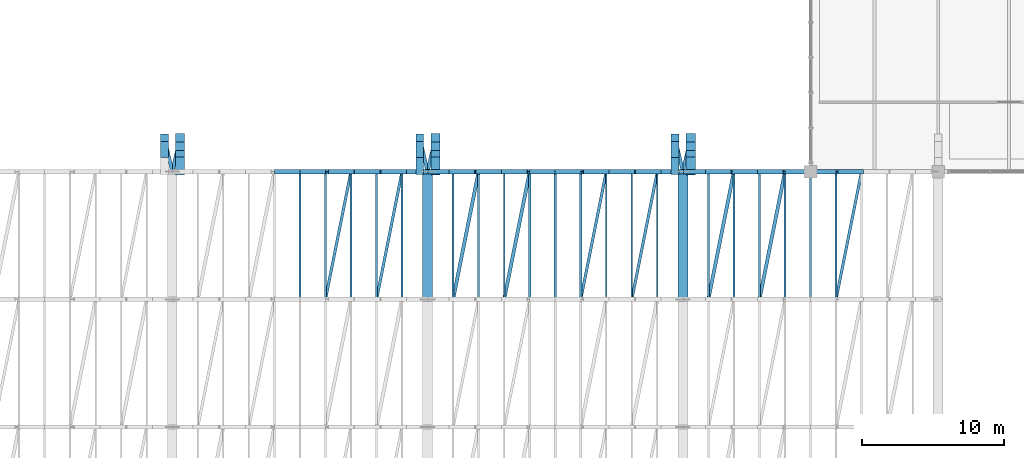
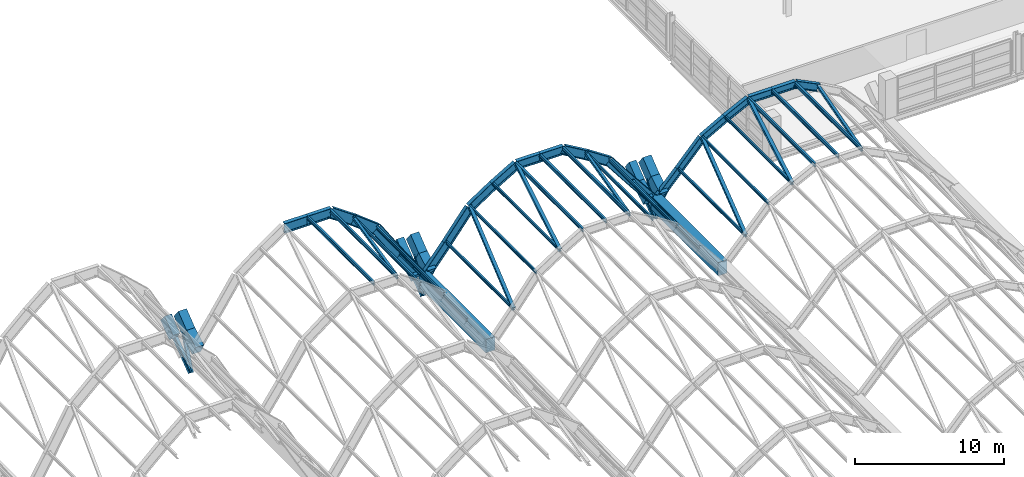
# One storey, part 27 of 86: 36 beams, 35 members.
"""IFC4 building model written with IfcOpenShell, lengths in metres."""

from ifc_helpers import new_model, si_unit, direction, frame, origin, origin_2d, place, context, subcontext, project, spatial, rectangle, i_section, extrude, material, material_profile, profile_set, type_object, element, save


model = new_model("IFC4")

# Units and contexts
model_context = context("Model", 3, precision=1e-05, world=origin(), true_north=direction((0.0, 1.0)))
body_context = subcontext(model_context, "Body", "Model", "MODEL_VIEW")
ifc_project = project(units=[si_unit("LENGTHUNIT", "METRE"), si_unit("AREAUNIT", "SQUARE_METRE"), si_unit("VOLUMEUNIT", "CUBIC_METRE"), si_unit("PLANEANGLEUNIT", "RADIAN"), si_unit("MASSUNIT", "GRAM", prefix="KILO")], contexts=[model_context])

# Site, building, storey
site_placement = place(None, origin())
site = spatial("IfcSite", under=ifc_project, at=site_placement, CompositionType="ELEMENT")
building_placement = place(site_placement, origin())
building = spatial("IfcBuilding", under=site, at=building_placement, Name="Chuanluo Vaults Station", CompositionType="ELEMENT")
storey_placement = place(building_placement, frame((0.0, 0.0, 14.39990234375)))
storey = spatial("IfcBuildingStorey", under=building, at=storey_placement, Name="L03", CompositionType="ELEMENT", Elevation=14.39990234375)

# Beams
ifc_material_1 = material(Name="Concrete C50", Category="concrete")
ifc_material_profile_1 = material_profile(ifc_material_1, rectangle(XDim=0.64990234375, YDim=0.949951171875, at=origin_2d()))
ifc_profile_set_1 = profile_set([ifc_material_profile_1], Name="Concrete C50")
beam_type_1 = type_object("IfcBeamType", Name="BM-CUSP-RC1", PredefinedType="USERDEFINED", material=ifc_profile_set_1)
beam_1_placement = place(storey_placement, frame((72.550048828125, 103.5, -0.5498046875), z_axis=(0.0, 0.872520545396, 0.488577422588), x_axis=(-1.0, 0.0, 0.0)))
element("IfcBeam", 1, at=beam_1_placement, inside=storey, type_object=beam_type_1, Name="Vault V5 upturned cusp rib N-W chord 1", ObjectType="GIRDER", PredefinedType="USERDEFINED", context=body_context, shape_type="SweptSolid", body=[
    extrude(rectangle(XDim=0.64990234375, YDim=0.949951171875, at=origin_2d()), origin(), (0.0, 0.0, 1.0), 1.4326171875),
])
beam_2_placement = place(storey_placement, frame((72.550048828125, 104.75, 0.150146484375), z_axis=(0.0, 0.787512057463, 0.61629924497), x_axis=(-1.0, 0.0, 0.0)))
element("IfcBeam", 2, at=beam_2_placement, inside=storey, type_object=beam_type_1, Name="Vault V5 upturned cusp rib N-W chord 2", ObjectType="GIRDER", PredefinedType="USERDEFINED", context=body_context, shape_type="SweptSolid", body=[
    extrude(rectangle(XDim=0.64990234375, YDim=0.949951171875, at=origin_2d()), origin(), (0.0, 0.0, 1.0), 1.460205078125),
])
beam_3_placement = place(storey_placement, frame((90.550048828125, 103.5, -0.5498046875), z_axis=(0.0, 0.872520545396, 0.488577422588), x_axis=(-1.0, 0.0, 0.0)))
element("IfcBeam", 3, at=beam_3_placement, inside=storey, type_object=beam_type_1, Name="Vault V6 upturned cusp rib N-W chord 1", ObjectType="GIRDER", PredefinedType="USERDEFINED", context=body_context, shape_type="SweptSolid", body=[
    extrude(rectangle(XDim=0.64990234375, YDim=0.949951171875, at=origin_2d()), origin(), (0.0, 0.0, 1.0), 1.4326171875),
])
beam_4_placement = place(storey_placement, frame((90.550048828125, 104.75, 0.150146484375), z_axis=(0.0, 0.787512057463, 0.61629924497), x_axis=(-1.0, 0.0, 0.0)))
element("IfcBeam", 4, at=beam_4_placement, inside=storey, type_object=beam_type_1, Name="Vault V6 upturned cusp rib N-W chord 2", ObjectType="GIRDER", PredefinedType="USERDEFINED", context=body_context, shape_type="SweptSolid", body=[
    extrude(rectangle(XDim=0.64990234375, YDim=0.949951171875, at=origin_2d()), origin(), (0.0, 0.0, 1.0), 1.460205078125),
])
beam_5_placement = place(storey_placement, frame((108.550048828125, 103.5, -0.5498046875), z_axis=(0.0, 0.872520545396, 0.488577422588), x_axis=(-1.0, 0.0, 0.0)))
element("IfcBeam", 5, at=beam_5_placement, inside=storey, type_object=beam_type_1, Name="Vault V7 upturned cusp rib N-W chord 1", ObjectType="GIRDER", PredefinedType="USERDEFINED", context=body_context, shape_type="SweptSolid", body=[
    extrude(rectangle(XDim=0.64990234375, YDim=0.949951171875, at=origin_2d()), origin(), (0.0, 0.0, 1.0), 1.4326171875),
])
beam_6_placement = place(storey_placement, frame((108.550048828125, 104.75, 0.150146484375), z_axis=(0.0, 0.787512057463, 0.61629924497), x_axis=(-1.0, 0.0, 0.0)))
element("IfcBeam", 6, at=beam_6_placement, inside=storey, type_object=beam_type_1, Name="Vault V7 upturned cusp rib N-W chord 2", ObjectType="GIRDER", PredefinedType="USERDEFINED", context=body_context, shape_type="SweptSolid", body=[
    extrude(rectangle(XDim=0.64990234375, YDim=0.949951171875, at=origin_2d()), origin(), (0.0, 0.0, 1.0), 1.460205078125),
])
ifc_material_2 = material(Name="Concrete C50", Category="concrete")
ifc_material_profile_2 = material_profile(ifc_material_2, rectangle(XDim=0.550048828125, YDim=0.85009765625, at=origin_2d()))
ifc_profile_set_2 = profile_set([ifc_material_profile_2], Name="Concrete C50")
beam_type_2 = type_object("IfcBeamType", Name="BM-CUSP-RC2", PredefinedType="USERDEFINED", material=ifc_profile_set_2)
beam_7_placement = place(storey_placement, frame((71.449951171875, 104.75, 0.150146484375), z_axis=(0.0, 0.787512057463, 0.61629924497), x_axis=(-1.0, 0.0, 0.0)))
element("IfcBeam", 7, at=beam_7_placement, inside=storey, type_object=beam_type_2, Name="Vault V4 upturned cusp rib N-E chord 2", ObjectType="GIRDER", PredefinedType="USERDEFINED", context=body_context, shape_type="SweptSolid", body=[
    extrude(rectangle(XDim=0.550048828125, YDim=0.85009765625, at=origin_2d()), origin(), (0.0, 0.0, 1.0), 1.460205078125),
])
beam_8_placement = place(storey_placement, frame((89.449951171875, 103.5, -0.5498046875), z_axis=(0.0, 0.872520545396, 0.488577422588), x_axis=(-1.0, 0.0, 0.0)))
element("IfcBeam", 8, at=beam_8_placement, inside=storey, type_object=beam_type_2, Name="Vault V5 upturned cusp rib N-E chord 1", ObjectType="GIRDER", PredefinedType="USERDEFINED", context=body_context, shape_type="SweptSolid", body=[
    extrude(rectangle(XDim=0.550048828125, YDim=0.85009765625, at=origin_2d()), origin(), (0.0, 0.0, 1.0), 1.4326171875),
])
beam_9_placement = place(storey_placement, frame((89.449951171875, 104.75, 0.150146484375), z_axis=(0.0, 0.787512057463, 0.61629924497), x_axis=(-1.0, 0.0, 0.0)))
element("IfcBeam", 9, at=beam_9_placement, inside=storey, type_object=beam_type_2, Name="Vault V5 upturned cusp rib N-E chord 2", ObjectType="GIRDER", PredefinedType="USERDEFINED", context=body_context, shape_type="SweptSolid", body=[
    extrude(rectangle(XDim=0.550048828125, YDim=0.85009765625, at=origin_2d()), origin(), (0.0, 0.0, 1.0), 1.460205078125),
])
beam_10_placement = place(storey_placement, frame((107.449951171875, 103.5, -0.5498046875), z_axis=(0.0, 0.872520545396, 0.488577422588), x_axis=(-1.0, 0.0, 0.0)))
element("IfcBeam", 10, at=beam_10_placement, inside=storey, type_object=beam_type_2, Name="Vault V6 upturned cusp rib N-E chord 1", ObjectType="GIRDER", PredefinedType="USERDEFINED", context=body_context, shape_type="SweptSolid", body=[
    extrude(rectangle(XDim=0.550048828125, YDim=0.85009765625, at=origin_2d()), origin(), (0.0, 0.0, 1.0), 1.4326171875),
])
beam_11_placement = place(storey_placement, frame((107.449951171875, 104.75, 0.150146484375), z_axis=(0.0, 0.787512057463, 0.61629924497), x_axis=(-1.0, 0.0, 0.0)))
element("IfcBeam", 11, at=beam_11_placement, inside=storey, type_object=beam_type_2, Name="Vault V6 upturned cusp rib N-E chord 2", ObjectType="GIRDER", PredefinedType="USERDEFINED", context=body_context, shape_type="SweptSolid", body=[
    extrude(rectangle(XDim=0.550048828125, YDim=0.85009765625, at=origin_2d()), origin(), (0.0, 0.0, 1.0), 1.460205078125),
])
ifc_material_3 = material(Name="Concrete C50", Category="concrete")
ifc_material_profile_3 = material_profile(ifc_material_3, rectangle(XDim=0.699951171875, YDim=1.10009765625, at=origin_2d()))
ifc_profile_set_3 = profile_set([ifc_material_profile_3], Name="Concrete C50")
beam_type_3 = type_object("IfcBeamType", Name="BM-VAL-RC", PredefinedType="USERDEFINED", material=ifc_profile_set_3)
for number, where, z_axis, x_axis, name in (
    (12, (90.0, 94.5, -0.7998046875), (0.0, 1.0, 0.0), (-1.0, 0.0, 0.0), "Vault springing valley beam X90-8"),
    (13, (108.0, 94.5, -0.7998046875), (0.0, 1.0, 0.0), (-1.0, 0.0, 0.0), "Vault springing valley beam X108-8"),
):
    element("IfcBeam", number, at=place(storey_placement, frame(where, z_axis=z_axis, x_axis=x_axis)), inside=storey, type_object=beam_type_3, Name=name, ObjectType="GIRDER", PredefinedType="USERDEFINED", context=body_context, shape_type="SweptSolid", body=[
        extrude(rectangle(XDim=0.699951171875, YDim=1.10009765625, at=origin_2d()), origin(), (0.0, 0.0, 1.0), 9.0),
    ])
ifc_material_4 = material(Name="Steel Q355C", Category="steel")
ifc_material_profile_4 = material_profile(ifc_material_4, i_section(OverallWidth=0.300048828125, OverallDepth=0.587890625, WebThickness=0.011962890625, FlangeThickness=0.02001953125, FilletRadius=0.02392578125, at=origin_2d()))
ifc_profile_set_4 = profile_set([ifc_material_profile_4], Name="Steel Q355C")
beam_type_4 = type_object("IfcBeamType", Name="BM-VLT-600", PredefinedType="USERDEFINED", material=ifc_profile_set_4)
beam_12_placement = place(storey_placement, frame((108.0, 103.5, -0.743896484375), z_axis=(0.684521510403, 0.0, 0.728992662374), x_axis=(0.0, 1.0, 0.0)))
element("IfcBeam", 14, at=beam_12_placement, inside=storey, type_object=beam_type_4, Name="Vault V7 arch rib 9 chord 1", ObjectType="GIRDER", PredefinedType="USERDEFINED", context=body_context, shape_type="SweptSolid", body=[
    extrude(i_section(OverallWidth=0.300048828125, OverallDepth=0.587890625, WebThickness=0.011962890625, FlangeThickness=0.02001953125, FilletRadius=0.02392578125, at=origin_2d()), origin(), (0.0, 0.0, 1.0), 2.629638671875),
])
beam_13_placement = place(storey_placement, frame((109.800048828125, 103.5, 1.173095703125), z_axis=(0.674369120381, 0.0, 0.738394399679), x_axis=(0.0, 1.0, 0.0)))
element("IfcBeam", 15, at=beam_13_placement, inside=storey, type_object=beam_type_4, Name="Vault V7 arch rib 9 chord 2", ObjectType="GIRDER", PredefinedType="USERDEFINED", context=body_context, shape_type="SweptSolid", body=[
    extrude(i_section(OverallWidth=0.300048828125, OverallDepth=0.587890625, WebThickness=0.011962890625, FlangeThickness=0.02001953125, FilletRadius=0.02392578125, at=origin_2d()), origin(), (0.0, 0.0, 1.0), 2.669189453125),
])
beam_14_placement = place(storey_placement, frame((111.60009765625, 103.5, 3.14404296875), z_axis=(0.873681685546, 0.0, 0.486498008569), x_axis=(0.0, 1.0, 0.0)))
element("IfcBeam", 16, at=beam_14_placement, inside=storey, type_object=beam_type_4, Name="Vault V7 arch rib 9 chord 3", ObjectType="GIRDER", PredefinedType="USERDEFINED", context=body_context, shape_type="SweptSolid", body=[
    extrude(i_section(OverallWidth=0.300048828125, OverallDepth=0.587890625, WebThickness=0.011962890625, FlangeThickness=0.02001953125, FilletRadius=0.02392578125, at=origin_2d()), origin(), (0.0, 0.0, 1.0), 2.06005859375),
])
beam_15_placement = place(storey_placement, frame((113.39990234375, 103.5, 4.146240234375), z_axis=(0.896436371213, 0.0, 0.443172463457), x_axis=(0.0, 1.0, 0.0)))
element("IfcBeam", 17, at=beam_15_placement, inside=storey, type_object=beam_type_4, Name="Vault V7 arch rib 9 chord 4", ObjectType="GIRDER", PredefinedType="USERDEFINED", context=body_context, shape_type="SweptSolid", body=[
    extrude(i_section(OverallWidth=0.300048828125, OverallDepth=0.587890625, WebThickness=0.011962890625, FlangeThickness=0.02001953125, FilletRadius=0.02392578125, at=origin_2d()), origin(), (0.0, 0.0, 1.0), 2.008056640625),
])
for number, where, z_axis, x_axis, name in (
    (18, (115.199951171875, 103.5, 5.0361328125), (1.0, 0.0, 0.0), (0.0, 1.0, 0.0), "Vault V7 arch rib 9 chord 5"),
    (19, (117.0, 103.5, 5.0361328125), (1.0, 0.0, 0.0), (0.0, 1.0, 0.0), "Vault V7 arch rib 9 chord 6"),
):
    element("IfcBeam", number, at=place(storey_placement, frame(where, z_axis=z_axis, x_axis=x_axis)), inside=storey, type_object=beam_type_4, Name=name, ObjectType="GIRDER", PredefinedType="USERDEFINED", context=body_context, shape_type="SweptSolid", body=[
        extrude(i_section(OverallWidth=0.300048828125, OverallDepth=0.587890625, WebThickness=0.011962890625, FlangeThickness=0.02001953125, FilletRadius=0.02392578125, at=origin_2d()), origin(), (0.0, 0.0, 1.0), 1.800048828125),
    ])
beam_16_placement = place(storey_placement, frame((118.800048828125, 103.5, 5.0361328125), z_axis=(0.896436371213, 0.0, -0.443172463457), x_axis=(0.0, 1.0, 0.0)))
element("IfcBeam", 20, at=beam_16_placement, inside=storey, type_object=beam_type_4, Name="Vault V7 arch rib 9 chord 7", ObjectType="GIRDER", PredefinedType="USERDEFINED", context=body_context, shape_type="SweptSolid", body=[
    extrude(i_section(OverallWidth=0.300048828125, OverallDepth=0.587890625, WebThickness=0.011962890625, FlangeThickness=0.02001953125, FilletRadius=0.02392578125, at=origin_2d()), origin(), (0.0, 0.0, 1.0), 2.008056640625),
])
ifc_material_5 = material(Name="Steel Q355C", Category="steel")
ifc_material_profile_5 = material_profile(ifc_material_5, i_section(OverallWidth=0.300048828125, OverallDepth=0.699951171875, WebThickness=0.012939453125, FlangeThickness=0.02392578125, FilletRadius=0.02392578125, at=origin_2d()))
ifc_profile_set_5 = profile_set([ifc_material_profile_5], Name="Steel Q355C")
beam_type_5 = type_object("IfcBeamType", Name="BM-VLT-700", PredefinedType="USERDEFINED", material=ifc_profile_set_5)
beam_17_placement = place(storey_placement, frame((90.0, 103.5, -0.7998046875), z_axis=(0.628190338877, 0.0, 0.778059700885), x_axis=(0.0, 1.0, 0.0)))
element("IfcBeam", 21, at=beam_17_placement, inside=storey, type_object=beam_type_5, Name="Vault V6 arch rib 9 chord 1", ObjectType="GIRDER", PredefinedType="USERDEFINED", context=body_context, shape_type="SweptSolid", body=[
    extrude(i_section(OverallWidth=0.300048828125, OverallDepth=0.699951171875, WebThickness=0.012939453125, FlangeThickness=0.02392578125, FilletRadius=0.02392578125, at=origin_2d()), origin(), (0.0, 0.0, 1.0), 2.865478515625),
])
beam_18_placement = place(storey_placement, frame((91.800048828125, 103.5, 1.4296875), z_axis=(0.613681275736, 0.0, 0.789553856182), x_axis=(0.0, 1.0, 0.0)))
element("IfcBeam", 22, at=beam_18_placement, inside=storey, type_object=beam_type_5, Name="Vault V6 arch rib 9 chord 2", ObjectType="GIRDER", PredefinedType="USERDEFINED", context=body_context, shape_type="SweptSolid", body=[
    extrude(i_section(OverallWidth=0.300048828125, OverallDepth=0.699951171875, WebThickness=0.012939453125, FlangeThickness=0.02392578125, FilletRadius=0.02392578125, at=origin_2d()), origin(), (0.0, 0.0, 1.0), 2.93310546875),
])
beam_19_placement = place(storey_placement, frame((93.60009765625, 103.5, 3.74560546875), z_axis=(0.836145448105, 0.0, 0.54850778446), x_axis=(0.0, 1.0, 0.0)))
element("IfcBeam", 23, at=beam_19_placement, inside=storey, type_object=beam_type_5, Name="Vault V6 arch rib 9 chord 3", ObjectType="GIRDER", PredefinedType="USERDEFINED", context=body_context, shape_type="SweptSolid", body=[
    extrude(i_section(OverallWidth=0.300048828125, OverallDepth=0.699951171875, WebThickness=0.012939453125, FlangeThickness=0.02392578125, FilletRadius=0.02392578125, at=origin_2d()), origin(), (0.0, 0.0, 1.0), 2.152587890625),
])
beam_20_placement = place(storey_placement, frame((95.39990234375, 103.5, 4.92626953125), z_axis=(0.863009490662, 0.0, 0.505187706727), x_axis=(0.0, 1.0, 0.0)))
element("IfcBeam", 24, at=beam_20_placement, inside=storey, type_object=beam_type_5, Name="Vault V6 arch rib 9 chord 4", ObjectType="GIRDER", PredefinedType="USERDEFINED", context=body_context, shape_type="SweptSolid", body=[
    extrude(i_section(OverallWidth=0.300048828125, OverallDepth=0.699951171875, WebThickness=0.012939453125, FlangeThickness=0.02392578125, FilletRadius=0.02392578125, at=origin_2d()), origin(), (0.0, 0.0, 1.0), 2.085693359375),
])
for number, where, z_axis, x_axis, name in (
    (25, (97.199951171875, 103.5, 5.97998046875), (1.0, 0.0, 0.0), (0.0, 1.0, 0.0), "Vault V6 arch rib 9 chord 5"),
    (26, (99.0, 103.5, 5.97998046875), (1.0, 0.0, 0.0), (0.0, 1.0, 0.0), "Vault V6 arch rib 9 chord 6"),
):
    element("IfcBeam", number, at=place(storey_placement, frame(where, z_axis=z_axis, x_axis=x_axis)), inside=storey, type_object=beam_type_5, Name=name, ObjectType="GIRDER", PredefinedType="USERDEFINED", context=body_context, shape_type="SweptSolid", body=[
        extrude(i_section(OverallWidth=0.300048828125, OverallDepth=0.699951171875, WebThickness=0.012939453125, FlangeThickness=0.02392578125, FilletRadius=0.02392578125, at=origin_2d()), origin(), (0.0, 0.0, 1.0), 1.800048828125),
    ])
beam_21_placement = place(storey_placement, frame((100.800048828125, 103.5, 5.97998046875), z_axis=(0.863009490662, 0.0, -0.505187706727), x_axis=(0.0, 1.0, 0.0)))
element("IfcBeam", 27, at=beam_21_placement, inside=storey, type_object=beam_type_5, Name="Vault V6 arch rib 9 chord 7", ObjectType="GIRDER", PredefinedType="USERDEFINED", context=body_context, shape_type="SweptSolid", body=[
    extrude(i_section(OverallWidth=0.300048828125, OverallDepth=0.699951171875, WebThickness=0.012939453125, FlangeThickness=0.02392578125, FilletRadius=0.02392578125, at=origin_2d()), origin(), (0.0, 0.0, 1.0), 2.085693359375),
])
beam_22_placement = place(storey_placement, frame((102.60009765625, 103.5, 4.92626953125), z_axis=(0.836145448105, 0.0, -0.54850778446), x_axis=(0.0, 1.0, 0.0)))
element("IfcBeam", 28, at=beam_22_placement, inside=storey, type_object=beam_type_5, Name="Vault V6 arch rib 9 chord 8", ObjectType="GIRDER", PredefinedType="USERDEFINED", context=body_context, shape_type="SweptSolid", body=[
    extrude(i_section(OverallWidth=0.300048828125, OverallDepth=0.699951171875, WebThickness=0.012939453125, FlangeThickness=0.02392578125, FilletRadius=0.02392578125, at=origin_2d()), origin(), (0.0, 0.0, 1.0), 2.152587890625),
])
beam_23_placement = place(storey_placement, frame((104.39990234375, 103.5, 3.74560546875), z_axis=(0.613681275736, 0.0, -0.789553856182), x_axis=(0.0, 1.0, 0.0)))
element("IfcBeam", 29, at=beam_23_placement, inside=storey, type_object=beam_type_5, Name="Vault V6 arch rib 9 chord 9", ObjectType="GIRDER", PredefinedType="USERDEFINED", context=body_context, shape_type="SweptSolid", body=[
    extrude(i_section(OverallWidth=0.300048828125, OverallDepth=0.699951171875, WebThickness=0.012939453125, FlangeThickness=0.02392578125, FilletRadius=0.02392578125, at=origin_2d()), origin(), (0.0, 0.0, 1.0), 2.93310546875),
])
beam_24_placement = place(storey_placement, frame((106.199951171875, 103.5, 1.4296875), z_axis=(0.628190338877, 0.0, -0.778059700885), x_axis=(0.0, 1.0, 0.0)))
element("IfcBeam", 30, at=beam_24_placement, inside=storey, type_object=beam_type_5, Name="Vault V6 arch rib 9 chord 10", ObjectType="GIRDER", PredefinedType="USERDEFINED", context=body_context, shape_type="SweptSolid", body=[
    extrude(i_section(OverallWidth=0.300048828125, OverallDepth=0.699951171875, WebThickness=0.012939453125, FlangeThickness=0.02392578125, FilletRadius=0.02392578125, at=origin_2d()), origin(), (0.0, 0.0, 1.0), 2.865478515625),
])
ifc_material_6 = material(Name="Steel Q355C", Category="steel")
ifc_material_profile_6 = material_profile(ifc_material_6, i_section(OverallWidth=0.300048828125, OverallDepth=0.800048828125, WebThickness=0.013916015625, FlangeThickness=0.02587890625, FilletRadius=0.02392578125, at=origin_2d()))
ifc_profile_set_6 = profile_set([ifc_material_profile_6], Name="Steel Q355C")
beam_type_6 = type_object("IfcBeamType", Name="BM-VLT-800", PredefinedType="USERDEFINED", material=ifc_profile_set_6)
for number, where, z_axis, x_axis, name in (
    (31, (79.199951171875, 103.5, 7.130126953125), (1.0, 0.0, 0.0), (0.0, 1.0, 0.0), "Vault V5 arch rib 9 chord 5"),
    (32, (81.0, 103.5, 7.130126953125), (1.0, 0.0, 0.0), (0.0, 1.0, 0.0), "Vault V5 arch rib 9 chord 6"),
):
    element("IfcBeam", number, at=place(storey_placement, frame(where, z_axis=z_axis, x_axis=x_axis)), inside=storey, type_object=beam_type_6, Name=name, ObjectType="GIRDER", PredefinedType="USERDEFINED", context=body_context, shape_type="SweptSolid", body=[
        extrude(i_section(OverallWidth=0.300048828125, OverallDepth=0.800048828125, WebThickness=0.013916015625, FlangeThickness=0.02587890625, FilletRadius=0.02392578125, at=origin_2d()), origin(), (0.0, 0.0, 1.0), 1.800048828125),
    ])
beam_25_placement = place(storey_placement, frame((82.800048828125, 103.5, 7.130126953125), z_axis=(0.820907471123, 0.0, -0.571061226012), x_axis=(0.0, 1.0, 0.0)))
element("IfcBeam", 33, at=beam_25_placement, inside=storey, type_object=beam_type_6, Name="Vault V5 arch rib 9 chord 7", ObjectType="GIRDER", PredefinedType="USERDEFINED", context=body_context, shape_type="SweptSolid", body=[
    extrude(i_section(OverallWidth=0.300048828125, OverallDepth=0.800048828125, WebThickness=0.013916015625, FlangeThickness=0.02587890625, FilletRadius=0.02392578125, at=origin_2d()), origin(), (0.0, 0.0, 1.0), 2.19287109375),
])
beam_26_placement = place(storey_placement, frame((84.60009765625, 103.5, 5.8779296875), z_axis=(0.790274889356, 0.0, -0.612752477965), x_axis=(0.0, 1.0, 0.0)))
element("IfcBeam", 34, at=beam_26_placement, inside=storey, type_object=beam_type_6, Name="Vault V5 arch rib 9 chord 8", ObjectType="GIRDER", PredefinedType="USERDEFINED", context=body_context, shape_type="SweptSolid", body=[
    extrude(i_section(OverallWidth=0.300048828125, OverallDepth=0.800048828125, WebThickness=0.013916015625, FlangeThickness=0.02587890625, FilletRadius=0.02392578125, at=origin_2d()), origin(), (0.0, 0.0, 1.0), 2.27734375),
])
beam_27_placement = place(storey_placement, frame((86.39990234375, 103.5, 4.482421875), z_axis=(0.550471867992, 0.0, -0.834853713263), x_axis=(0.0, 1.0, 0.0)))
element("IfcBeam", 35, at=beam_27_placement, inside=storey, type_object=beam_type_6, Name="Vault V5 arch rib 9 chord 9", ObjectType="GIRDER", PredefinedType="USERDEFINED", context=body_context, shape_type="SweptSolid", body=[
    extrude(i_section(OverallWidth=0.300048828125, OverallDepth=0.800048828125, WebThickness=0.013916015625, FlangeThickness=0.02587890625, FilletRadius=0.02392578125, at=origin_2d()), origin(), (0.0, 0.0, 1.0), 3.27001953125),
])
beam_28_placement = place(storey_placement, frame((88.199951171875, 103.5, 1.75244140625), z_axis=(0.568880934439, 0.0, -0.822419894234), x_axis=(0.0, 1.0, 0.0)))
element("IfcBeam", 36, at=beam_28_placement, inside=storey, type_object=beam_type_6, Name="Vault V5 arch rib 9 chord 10", ObjectType="GIRDER", PredefinedType="USERDEFINED", context=body_context, shape_type="SweptSolid", body=[
    extrude(i_section(OverallWidth=0.300048828125, OverallDepth=0.800048828125, WebThickness=0.013916015625, FlangeThickness=0.02587890625, FilletRadius=0.02392578125, at=origin_2d()), origin(), (0.0, 0.0, 1.0), 3.164306640625),
])

# Members
ifc_material_7 = material(Name="Steel Q355C", Category="steel")
ifc_material_profile_7 = material_profile(ifc_material_7, i_section(OverallWidth=0.25, OverallDepth=0.340087890625, WebThickness=0.009033203125, FlangeThickness=0.013916015625, FilletRadius=0.01611328125, at=origin_2d()))
ifc_profile_set_7 = profile_set([ifc_material_profile_7], Name="Steel Q355C")
member_type_1 = type_object("IfcMemberType", Name="MEM-CBR-340", PredefinedType="BRACE", material=ifc_profile_set_7)
for number, where, z_axis, x_axis, name in (
    (37, (72.0, 103.5, -2.25), (-0.133593569942, 0.582878292291, 0.801502123794), (-0.974726021078, -0.223403634333, 0.0), "Upturned eave cusp raking prop N-X72-W"),
    (38, (72.0, 103.5, -2.25), (0.133593569942, 0.582878292291, 0.801502123794), (-0.974726021078, 0.223403634333, 0.0), "Upturned eave cusp raking prop N-X72-E"),
    (39, (90.0, 103.5, -2.25), (-0.133593569942, 0.582878292291, 0.801502123794), (-0.974726021078, -0.223403634333, 0.0), "Upturned eave cusp raking prop N-X90-W"),
    (40, (90.0, 103.5, -2.25), (0.133593569942, 0.582878292291, 0.801502123794), (-0.974726021078, 0.223403634333, 0.0), "Upturned eave cusp raking prop N-X90-E"),
    (41, (108.0, 103.5, -2.25), (-0.133593569942, 0.582878292291, 0.801502123794), (-0.974726021078, -0.223403634333, 0.0), "Upturned eave cusp raking prop N-X108-W"),
    (42, (108.0, 103.5, -2.25), (0.133593569942, 0.582878292291, 0.801502123794), (-0.974726021078, 0.223403634333, 0.0), "Upturned eave cusp raking prop N-X108-E"),
):
    element("IfcMember", number, at=place(storey_placement, frame(where, z_axis=z_axis, x_axis=x_axis)), inside=storey, type_object=member_type_1, Name=name, PredefinedType="BRACE", context=body_context, shape_type="SweptSolid", body=[
        extrude(i_section(OverallWidth=0.25, OverallDepth=0.340087890625, WebThickness=0.009033203125, FlangeThickness=0.013916015625, FilletRadius=0.01611328125, at=origin_2d()), origin(), (0.0, 0.0, 1.0), 4.117431640625),
    ])
ifc_material_8 = material(Name="Steel Q355C", Category="steel")
ifc_material_profile_8 = material_profile(ifc_material_8, i_section(OverallWidth=0.125, OverallDepth=0.25, WebThickness=0.006103515625, FlangeThickness=0.009033203125, FilletRadius=0.011962890625, at=origin_2d()))
ifc_profile_set_8 = profile_set([ifc_material_profile_8], Name="Steel Q355C")
member_type_2 = type_object("IfcMemberType", Name="MEM-PUR-250", PredefinedType="PURLIN", material=ifc_profile_set_8)
for number, where, z_axis, x_axis, name in (
    (43, (84.60009765625, 94.5, 6.062744140625), (0.0, 1.0, 0.0), (-1.0, 0.0, 0.0), "Vault V5 purlin 8.7"),
    (44, (86.39990234375, 94.5, 4.619384765625), (0.0, 1.0, 0.0), (-1.0, 0.0, 0.0), "Vault V5 purlin 8.8"),
    (45, (88.199951171875, 94.5, 1.86962890625), (0.0, 1.0, 0.0), (-1.0, 0.0, 0.0), "Vault V5 purlin 8.9"),
    (46, (91.800048828125, 94.5, 1.5126953125), (0.0, 1.0, 0.0), (-1.0, 0.0, 0.0), "Vault V6 purlin 8.1"),
    (47, (93.60009765625, 94.5, 3.849853515625), (0.0, 1.0, 0.0), (-1.0, 0.0, 0.0), "Vault V6 purlin 8.2"),
    (48, (95.39990234375, 94.5, 5.068115234375), (0.0, 1.0, 0.0), (-1.0, 0.0, 0.0), "Vault V6 purlin 8.3"),
    (49, (102.60009765625, 94.5, 5.068115234375), (0.0, 1.0, 0.0), (-1.0, 0.0, 0.0), "Vault V6 purlin 8.7"),
    (50, (104.39990234375, 94.5, 3.849853515625), (0.0, 1.0, 0.0), (-1.0, 0.0, 0.0), "Vault V6 purlin 8.8"),
    (51, (106.199951171875, 94.5, 1.5126953125), (0.0, 1.0, 0.0), (-1.0, 0.0, 0.0), "Vault V6 purlin 8.9"),
    (52, (109.800048828125, 94.5, 1.213134765625), (0.0, 1.0, 0.0), (-1.0, 0.0, 0.0), "Vault V7 purlin 8.1"),
    (53, (111.60009765625, 94.5, 3.206787109375), (0.0, 1.0, 0.0), (-1.0, 0.0, 0.0), "Vault V7 purlin 8.2"),
    (54, (113.39990234375, 94.5, 4.23779296875), (0.0, 1.0, 0.0), (-1.0, 0.0, 0.0), "Vault V7 purlin 8.3"),
):
    element("IfcMember", number, at=place(storey_placement, frame(where, z_axis=z_axis, x_axis=x_axis)), inside=storey, type_object=member_type_2, Name=name, PredefinedType="PURLIN", context=body_context, shape_type="SweptSolid", body=[
        extrude(i_section(OverallWidth=0.125, OverallDepth=0.25, WebThickness=0.006103515625, FlangeThickness=0.009033203125, FilletRadius=0.011962890625, at=origin_2d()), origin(), (0.0, 0.0, 1.0), 9.0),
    ])
ifc_material_9 = material(Name="Steel Q355C", Category="steel")
ifc_material_profile_9 = material_profile(ifc_material_9, i_section(OverallWidth=0.14990234375, OverallDepth=0.300048828125, WebThickness=0.006591796875, FlangeThickness=0.009033203125, FilletRadius=0.012939453125, at=origin_2d()))
ifc_profile_set_9 = profile_set([ifc_material_profile_9], Name="Steel Q355C")
member_type_3 = type_object("IfcMemberType", Name="MEM-PUR-300", PredefinedType="PURLIN", material=ifc_profile_set_9)
for number, where, z_axis, x_axis, name in (
    (55, (81.0, 94.5, 7.3720703125), (0.0, 1.0, 0.0), (-1.0, 0.0, 0.0), "Vault V5 purlin 8.5"),
    (56, (82.800048828125, 94.5, 7.264404296875), (0.0, 1.0, 0.0), (-1.0, 0.0, 0.0), "Vault V5 purlin 8.6"),
    (57, (97.199951171875, 94.5, 6.085693359375), (0.0, 1.0, 0.0), (-1.0, 0.0, 0.0), "Vault V6 purlin 8.4"),
    (58, (99.0, 94.5, 6.172119140625), (0.0, 1.0, 0.0), (-1.0, 0.0, 0.0), "Vault V6 purlin 8.5"),
    (59, (100.800048828125, 94.5, 6.085693359375), (0.0, 1.0, 0.0), (-1.0, 0.0, 0.0), "Vault V6 purlin 8.6"),
    (60, (115.199951171875, 94.5, 5.102294921875), (0.0, 1.0, 0.0), (-1.0, 0.0, 0.0), "Vault V7 purlin 8.4"),
    (61, (117.0, 94.5, 5.172119140625), (0.0, 1.0, 0.0), (-1.0, 0.0, 0.0), "Vault V7 purlin 8.5"),
    (62, (118.800048828125, 94.5, 5.102294921875), (0.0, 1.0, 0.0), (-1.0, 0.0, 0.0), "Vault V7 purlin 8.6"),
):
    element("IfcMember", number, at=place(storey_placement, frame(where, z_axis=z_axis, x_axis=x_axis)), inside=storey, type_object=member_type_3, Name=name, PredefinedType="PURLIN", context=body_context, shape_type="SweptSolid", body=[
        extrude(i_section(OverallWidth=0.14990234375, OverallDepth=0.300048828125, WebThickness=0.006591796875, FlangeThickness=0.009033203125, FilletRadius=0.012939453125, at=origin_2d()), origin(), (0.0, 0.0, 1.0), 9.0),
    ])
ifc_material_10 = material(Name="Steel Q355C", Category="steel")
ifc_material_profile_10 = material_profile(ifc_material_10, i_section(OverallWidth=0.199951171875, OverallDepth=0.199951171875, WebThickness=0.008056640625, FlangeThickness=0.011962890625, FilletRadius=0.012939453125, at=origin_2d()))
ifc_profile_set_10 = profile_set([ifc_material_profile_10], Name="Steel Q355C")
member_type_4 = type_object("IfcMemberType", Name="MEM-VBR-200", PredefinedType="BRACE", material=ifc_profile_set_10)
member_1_placement = place(storey_placement, frame((82.800048828125, 94.5, 7.264404296875), z_axis=(0.194461668086, 0.972281965593, -0.129816944299), x_axis=(-0.980579652604, 0.196121250506, 0.0)))
element("IfcMember", 63, at=member_1_placement, inside=storey, type_object=member_type_4, Name="Vault V5 space-frame diagonal 8.6", PredefinedType="BRACE", context=body_context, shape_type="SweptSolid", body=[
    extrude(i_section(OverallWidth=0.199951171875, OverallDepth=0.199951171875, WebThickness=0.008056640625, FlangeThickness=0.011962890625, FilletRadius=0.012939453125, at=origin_2d()), origin(), (0.0, 0.0, 1.0), 9.256591796875),
])
member_2_placement = place(storey_placement, frame((86.39990234375, 94.5, 4.619384765625), z_axis=(0.187871019476, 0.939329616435, -0.286991901853), x_axis=(-0.980579652604, 0.196121250506, 0.0)))
element("IfcMember", 64, at=member_2_placement, inside=storey, type_object=member_type_4, Name="Vault V5 space-frame diagonal 8.8", PredefinedType="BRACE", context=body_context, shape_type="SweptSolid", body=[
    extrude(i_section(OverallWidth=0.199951171875, OverallDepth=0.199951171875, WebThickness=0.008056640625, FlangeThickness=0.011962890625, FilletRadius=0.012939453125, at=origin_2d()), origin(), (0.0, 0.0, 1.0), 9.581298828125),
])
member_3_placement = place(storey_placement, frame((100.800048828125, 94.5, 6.085693359375), z_axis=(0.194926906054, 0.974608092333, -0.110193319467), x_axis=(-0.980579652604, 0.196121250506, 0.0)))
element("IfcMember", 65, at=member_3_placement, inside=storey, type_object=member_type_4, Name="Vault V6 space-frame diagonal 8.6", PredefinedType="BRACE", context=body_context, shape_type="SweptSolid", body=[
    extrude(i_section(OverallWidth=0.199951171875, OverallDepth=0.199951171875, WebThickness=0.008056640625, FlangeThickness=0.011962890625, FilletRadius=0.012939453125, at=origin_2d()), origin(), (0.0, 0.0, 1.0), 9.234375),
])
member_4_placement = place(storey_placement, frame((104.39990234375, 94.5, 3.849853515625), z_axis=(0.19005620389, 0.950255242126, -0.246766314911), x_axis=(-0.980579652604, 0.196121250506, 0.0)))
element("IfcMember", 66, at=member_4_placement, inside=storey, type_object=member_type_4, Name="Vault V6 space-frame diagonal 8.8", PredefinedType="BRACE", context=body_context, shape_type="SweptSolid", body=[
    extrude(i_section(OverallWidth=0.199951171875, OverallDepth=0.199951171875, WebThickness=0.008056640625, FlangeThickness=0.011962890625, FilletRadius=0.012939453125, at=origin_2d()), origin(), (0.0, 0.0, 1.0), 9.47119140625),
])
member_5_placement = place(storey_placement, frame((118.800048828125, 94.5, 5.102294921875), z_axis=(0.195257020583, 0.976258620206, -0.093775275991), x_axis=(-0.980579652604, 0.196121250506, 0.0)))
element("IfcMember", 67, at=member_5_placement, inside=storey, type_object=member_type_4, Name="Vault V7 space-frame diagonal 8.6", PredefinedType="BRACE", context=body_context, shape_type="SweptSolid", body=[
    extrude(i_section(OverallWidth=0.199951171875, OverallDepth=0.199951171875, WebThickness=0.008056640625, FlangeThickness=0.011962890625, FilletRadius=0.012939453125, at=origin_2d()), origin(), (0.0, 0.0, 1.0), 9.21875),
])
ifc_material_11 = material(Name="Steel Q355C", Category="steel")
ifc_material_profile_11 = material_profile(ifc_material_11, i_section(OverallWidth=0.25, OverallDepth=0.25, WebThickness=0.009033203125, FlangeThickness=0.013916015625, FilletRadius=0.01611328125, at=origin_2d()))
ifc_profile_set_11 = profile_set([ifc_material_profile_11], Name="Steel Q355C")
member_type_5 = type_object("IfcMemberType", Name="MEM-VBR-250", PredefinedType="BRACE", material=ifc_profile_set_11)
member_6_placement = place(storey_placement, frame((91.800048828125, 94.5, 1.5126953125), z_axis=(0.19005620389, 0.950255242126, 0.246766314911), x_axis=(-0.980579652604, 0.196121250506, 0.0)))
element("IfcMember", 68, at=member_6_placement, inside=storey, type_object=member_type_5, Name="Vault V6 space-frame diagonal 8.1", PredefinedType="BRACE", context=body_context, shape_type="SweptSolid", body=[
    extrude(i_section(OverallWidth=0.25, OverallDepth=0.25, WebThickness=0.009033203125, FlangeThickness=0.013916015625, FilletRadius=0.01611328125, at=origin_2d()), origin(), (0.0, 0.0, 1.0), 9.47119140625),
])
member_7_placement = place(storey_placement, frame((95.39990234375, 94.5, 5.068115234375), z_axis=(0.194926906054, 0.974608092333, 0.110193319467), x_axis=(-0.980579652604, 0.196121250506, 0.0)))
element("IfcMember", 69, at=member_7_placement, inside=storey, type_object=member_type_5, Name="Vault V6 space-frame diagonal 8.3", PredefinedType="BRACE", context=body_context, shape_type="SweptSolid", body=[
    extrude(i_section(OverallWidth=0.25, OverallDepth=0.25, WebThickness=0.009033203125, FlangeThickness=0.013916015625, FilletRadius=0.01611328125, at=origin_2d()), origin(), (0.0, 0.0, 1.0), 9.234375),
])
member_8_placement = place(storey_placement, frame((109.800048828125, 94.5, 1.213134765625), z_axis=(0.191652062064, 0.958234316551, 0.212265121228), x_axis=(-0.980579652604, 0.196121250506, 0.0)))
element("IfcMember", 70, at=member_8_placement, inside=storey, type_object=member_type_5, Name="Vault V7 space-frame diagonal 8.1", PredefinedType="BRACE", context=body_context, shape_type="SweptSolid", body=[
    extrude(i_section(OverallWidth=0.25, OverallDepth=0.25, WebThickness=0.009033203125, FlangeThickness=0.013916015625, FilletRadius=0.01611328125, at=origin_2d()), origin(), (0.0, 0.0, 1.0), 9.392333984375),
])
member_9_placement = place(storey_placement, frame((113.39990234375, 94.5, 4.23779296875), z_axis=(0.195257020583, 0.976258620206, 0.093775275991), x_axis=(-0.980579652604, 0.196121250506, 0.0)))
element("IfcMember", 71, at=member_9_placement, inside=storey, type_object=member_type_5, Name="Vault V7 space-frame diagonal 8.3", PredefinedType="BRACE", context=body_context, shape_type="SweptSolid", body=[
    extrude(i_section(OverallWidth=0.25, OverallDepth=0.25, WebThickness=0.009033203125, FlangeThickness=0.013916015625, FilletRadius=0.01611328125, at=origin_2d()), origin(), (0.0, 0.0, 1.0), 9.21875),
])

save(model, "model.ifc")
